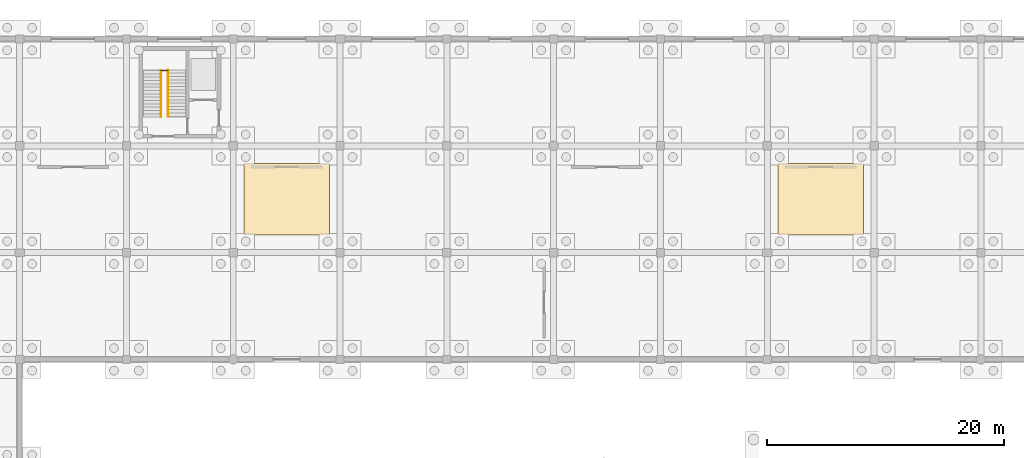
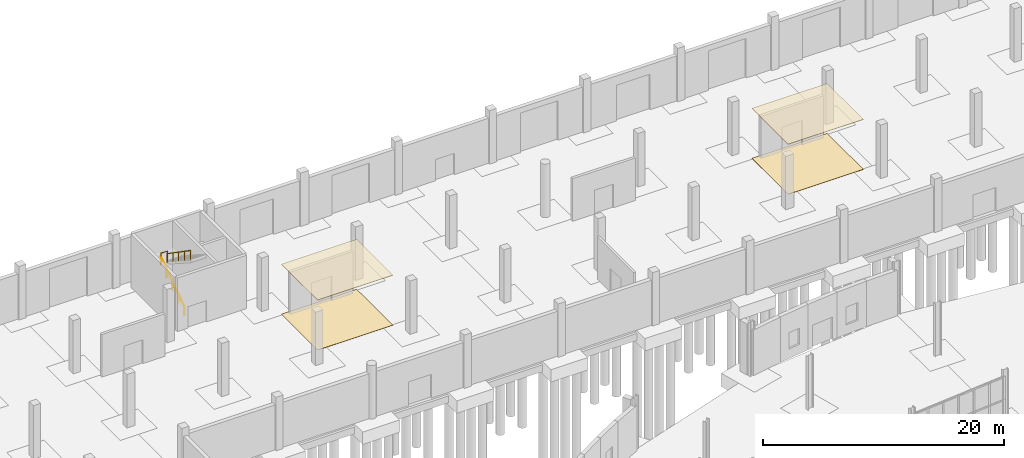
# One storey, part 116 of 118: 4 coverings, 3 railings.
"""IFC4 building model written with IfcOpenShell, lengths in metres."""

import ifcopenshell
import ifcopenshell.guid

model = None  # the IFC model being written
_history = None  # IfcOwnerHistory: only IFC2X3 demands one
_inside = {}  # id of a spatial element -> (the spatial element, [elements in it])
_under = {}  # id of a project, library or spatial element -> (it, [spatial elements below it])
_declared = {}  # id of a project -> (the project, [libraries it declares])
_typed = {}  # id of a type object -> (the type object, [elements of that type])
_made_of = {}  # id of a material, layer set ... -> (it, [elements and type objects made of it])


def new_model(schema):
    """Start an empty IFC model of exactly this schema.

    Asked for "IFC4X3", IfcOpenShell would pick the latest addendum, in which some entities
    have other attributes; the version numbers below select the first issue.
    IFC2X3 requires an IfcOwnerHistory on every rooted entity: one is made here for all.
    """
    global model, _history
    if schema == "IFC4X3":
        model = ifcopenshell.file(schema_version=(4, 3, 0, 0))
    else:
        model = ifcopenshell.file(schema=schema)
    _inside.clear()
    _under.clear()
    _declared.clear()
    _typed.clear()
    _made_of.clear()
    _history = None
    if model.schema == "IFC2X3":
        org = make("IfcOrganization", Name="unknown")
        user = make(
            "IfcPersonAndOrganization",
            ThePerson=make("IfcPerson", FamilyName="unknown"),
            TheOrganization=org,
        )
        app = make(
            "IfcApplication",
            ApplicationDeveloper=org,
            Version="unknown",
            ApplicationFullName="unknown",
            ApplicationIdentifier="unknown",
        )
        _history = make(
            "IfcOwnerHistory",
            OwningUser=user,
            OwningApplication=app,
            ChangeAction="ADDED",
            CreationDate=0,
        )
    return model


def make(cls, **values):
    """One entity of the class cls with the attributes given. An attribute that is None is left unset."""
    return model.create_entity(
        cls, **{name: value for name, value in values.items() if value is not None}
    )


def rooted(cls, **values):
    """An entity with a GlobalId (a new one), such as an element, a storey or a relation."""
    return make(cls, GlobalId=ifcopenshell.guid.new(), OwnerHistory=_history, **values)


def si_unit(unit_type, name, prefix=None):
    """IfcSIUnit, for example si_unit("LENGTHUNIT", "METRE", prefix="MILLI")."""
    return make("IfcSIUnit", UnitType=unit_type, Prefix=prefix, Name=name)


def assignment(units):
    """IfcUnitAssignment: the units of a project."""
    return None if units is None else make("IfcUnitAssignment", Units=units)


def point(xyz):
    """IfcCartesianPoint."""
    return None if xyz is None else make("IfcCartesianPoint", Coordinates=xyz)


def direction(xyz):
    """IfcDirection."""
    return None if xyz is None else make("IfcDirection", DirectionRatios=xyz)


def frame(location, z_axis=None, x_axis=None):
    """IfcAxis2Placement3D, a coordinate frame: its origin and axes. An axis left out is left unset."""
    return make(
        "IfcAxis2Placement3D",
        Location=point(location),
        Axis=direction(z_axis),
        RefDirection=direction(x_axis),
    )


def frame_2d(location, x_axis=None):
    """IfcAxis2Placement2D, a coordinate frame in the plane: its origin and x axis."""
    return make(
        "IfcAxis2Placement2D", Location=point(location), RefDirection=direction(x_axis)
    )


def origin():
    """The frame at (0, 0, 0) with its axes left unset."""
    return frame((0.0, 0.0, 0.0))


def origin_2d():
    """The frame at (0, 0) in the plane with its x axis left unset."""
    return frame_2d((0.0, 0.0))


def place(relative_to, where):
    """IfcLocalPlacement: puts the frame where relative to a parent placement (None: the world)."""
    return make(
        "IfcLocalPlacement", PlacementRelTo=relative_to, RelativePlacement=where
    )


def context(
    kind, dimensions, precision=None, world=None, true_north=None, identifier=None
):
    """IfcGeometricRepresentationContext, for example the 3D "Model" context."""
    return make(
        "IfcGeometricRepresentationContext",
        ContextIdentifier=identifier,
        ContextType=kind,
        CoordinateSpaceDimension=dimensions,
        Precision=precision,
        WorldCoordinateSystem=world,
        TrueNorth=true_north,
    )


def subcontext(parent, identifier, kind, view, scale=None):
    """IfcGeometricRepresentationSubContext, for example "Body" below "Model"."""
    return make(
        "IfcGeometricRepresentationSubContext",
        ContextIdentifier=identifier,
        ContextType=kind,
        ParentContext=parent,
        TargetScale=scale,
        TargetView=view,
    )


def project(units=None, contexts=None):
    """IfcProject with its units and contexts."""
    return rooted(
        "IfcProject",
        Name="project",
        RepresentationContexts=contexts,
        UnitsInContext=assignment(units),
    )


def spatial(cls, under=None, at=None, **own):
    """A site, building, storey or space (cls), placed at a placement, below another one or the project."""
    s = rooted(cls, ObjectPlacement=at, **own)
    if under is not None:
        _under.setdefault(under.id(), (under, []))[1].append(s)
    return s


def profile(cls, at=None, kind="AREA", **sizes):
    """A parametric profile (cls). Its sizes go by their IFC names, for example OverallWidth=200.0."""
    return make(cls, ProfileType=kind, Position=at, **sizes)


def rectangle(**sizes):
    """IfcRectangleProfileDef."""
    return profile("IfcRectangleProfileDef", **sizes)


def circle(**sizes):
    """IfcCircleProfileDef."""
    return profile("IfcCircleProfileDef", **sizes)


def extrude(swept, where, along, depth):
    """IfcExtrudedAreaSolid: the profile swept, set in the frame where, extruded along a direction by depth."""
    return make(
        "IfcExtrudedAreaSolid",
        SweptArea=swept,
        Position=where,
        ExtrudedDirection=direction(along),
        Depth=depth,
    )


def shape(context_of_items, identifier, shape_type, items):
    """IfcShapeRepresentation: the items that make up one representation, for example the "Body"."""
    return make(
        "IfcShapeRepresentation",
        ContextOfItems=context_of_items,
        RepresentationIdentifier=identifier,
        RepresentationType=shape_type,
        Items=items,
    )


def material(Name=None, Category=None):
    """IfcMaterial."""
    return make("IfcMaterial", Name=Name, Category=Category)


def layer(
    of_material, thickness, ventilated=None, Name=None, Category=None, Priority=None
):
    """IfcMaterialLayer: one layer of a wall or slab, of a material (None: an air gap)."""
    return make(
        "IfcMaterialLayer",
        Material=of_material,
        LayerThickness=thickness,
        IsVentilated=ventilated,
        Name=Name,
        Category=Category,
        Priority=Priority,
    )


def layer_set(layers, Name=None):
    """IfcMaterialLayerSet."""
    return make("IfcMaterialLayerSet", MaterialLayers=layers, LayerSetName=Name)


def made_of(thing, what):
    """Note that an element or type object is made of a material, layer set ...; save() writes the relation."""
    if what is not None:
        _made_of.setdefault(what.id(), (what, []))[1].append(thing)
    return thing


def type_object(cls, material=None, **own):
    """A type object (cls), such as IfcWallType, which elements share."""
    return made_of(rooted(cls, **own), material)


def element(
    cls,
    number,
    at=None,
    inside=None,
    cuts=None,
    type_object=None,
    material=None,
    context=None,
    identifier="Body",
    shape_type=None,
    held_by="IfcProductDefinitionShape",
    body=None,
    shapes=None,
    **own,
):
    """One element of the class cls, such as IfcWall. Its Tag is "e" and its number.

    at: its placement. inside: the storey or other place that contains it. cuts: it is an
    opening in that element (IfcRelVoidsElement). A single representation is given by context,
    identifier, shape_type and body (its items); several are given by shapes. held_by: the class
    of the entity that holds the representations. save() writes the other relations.
    """
    e = rooted(cls, Tag="e%d" % number, ObjectPlacement=at, **own)
    if body is not None:
        shapes = [shape(context, identifier, shape_type, body)]
    if shapes is not None:
        e.Representation = make(held_by, Representations=shapes)
    if inside is not None:
        _inside.setdefault(inside.id(), (inside, []))[1].append(e)
    if cuts is not None:
        rooted(
            "IfcRelVoidsElement", RelatingBuildingElement=cuts, RelatedOpeningElement=e
        )
    if type_object is not None:
        _typed.setdefault(type_object.id(), (type_object, []))[1].append(e)
    return made_of(e, material)


def aggregate(whole, parts):
    """IfcRelAggregates: a whole, such as a stair, and the parts it consists of."""
    return rooted("IfcRelAggregates", RelatingObject=whole, RelatedObjects=parts)


def save(model, path):
    """Write the relations noted so far, then the file.

    IfcRelAggregates (storeys below a building ...), IfcRelContainedInSpatialStructure (elements
    in a storey), IfcRelDefinesByType, IfcRelAssociatesMaterial and IfcRelDeclares: one each for
    every whole, place, type object, material and project.
    """
    for whole, parts in _under.values():
        aggregate(whole, parts)
    for where, things in _inside.values():
        rooted(
            "IfcRelContainedInSpatialStructure",
            RelatedElements=things,
            RelatingStructure=where,
        )
    for kind, things in _typed.values():
        rooted("IfcRelDefinesByType", RelatedObjects=things, RelatingType=kind)
    for what, things in _made_of.values():
        rooted("IfcRelAssociatesMaterial", RelatedObjects=things, RelatingMaterial=what)
    for by, libraries in _declared.values():
        rooted("IfcRelDeclares", RelatingContext=by, RelatedDefinitions=libraries)
    model.write(path)


model = new_model("IFC4")

# Units and contexts
model_context = context("Model", 3, precision=1e-05, world=origin(), true_north=direction((0.0, 1.0)))
body_context = subcontext(model_context, "Body", "Model", "MODEL_VIEW")
ifc_project = project(units=[si_unit("LENGTHUNIT", "METRE"), si_unit("AREAUNIT", "SQUARE_METRE"), si_unit("VOLUMEUNIT", "CUBIC_METRE"), si_unit("PLANEANGLEUNIT", "RADIAN"), si_unit("MASSUNIT", "GRAM", prefix="KILO")], contexts=[model_context])

# Site, building, storey
site_placement = place(None, origin())
site = spatial("IfcSite", under=ifc_project, at=site_placement, CompositionType="ELEMENT")
building_placement = place(site_placement, origin())
building = spatial("IfcBuilding", under=site, at=building_placement, Name="Kildeholm Park Wholesale Market", CompositionType="ELEMENT")
storey_placement = place(building_placement, origin())
storey = spatial("IfcBuildingStorey", under=building, at=storey_placement, Name="L00", CompositionType="ELEMENT", Elevation=0.0)

# Coverings
ifc_material_1 = material(Name="Washable acoustic mineral-fibre and aluminium ceiling", Category="aluminium")
ifc_layer_1 = layer(ifc_material_1, 0.044921875)
ifc_layer_set_1 = layer_set([ifc_layer_1], Name="Washable acoustic mineral-fibre and aluminium ceiling")
covering_type_1 = type_object("IfcCoveringType", Name="Hygienic acoustic suspended ceiling CV-CLG1 45 mm", PredefinedType="CEILING", material=ifc_layer_set_1)
for number, where, z_axis, x_axis, name in (
    (1, (58.5, 157.5, 5.03515625), (0.0, 0.0, 1.0), (1.0, 0.0, 0.0), "Acoustic ceiling 5 COV-0050"),
    (2, (103.5, 157.5, 5.03515625), (0.0, 0.0, 1.0), (1.0, 0.0, 0.0), "Acoustic ceiling 6 COV-0052"),
):
    element("IfcCovering", number, at=place(storey_placement, frame(where, z_axis=z_axis, x_axis=x_axis)), inside=storey, type_object=covering_type_1, Name=name, PredefinedType="CEILING", context=body_context, shape_type="SweptSolid", body=[
        extrude(rectangle(XDim=7.199951171875, YDim=6.0, at=origin_2d()), origin(), (0.0, 0.0, 1.0), 0.044921875),
    ])
ifc_material_2 = material(Name="Slip-resistant hygienic epoxy resin flooring")
ifc_layer_2 = layer(ifc_material_2, 0.02001953125)
ifc_layer_set_2 = layer_set([ifc_layer_2], Name="Slip-resistant hygienic epoxy resin flooring")
covering_type_2 = type_object("IfcCoveringType", Name="Hygienic cold-chain epoxy resin flooring CV-FLR2 20 mm", PredefinedType="FLOORING", material=ifc_layer_set_2)
for number, where, z_axis, x_axis, name in (
    (3, (58.5, 157.5, 0.0), (0.0, 0.0, 1.0), (1.0, 0.0, 0.0), "Market floor finish 5 COV-0049"),
    (4, (103.5, 157.5, 0.0), (0.0, 0.0, 1.0), (1.0, 0.0, 0.0), "Market floor finish 6 COV-0051"),
):
    element("IfcCovering", number, at=place(storey_placement, frame(where, z_axis=z_axis, x_axis=x_axis)), inside=storey, type_object=covering_type_2, Name=name, PredefinedType="FLOORING", context=body_context, shape_type="SweptSolid", body=[
        extrude(rectangle(XDim=7.199951171875, YDim=6.0, at=origin_2d()), origin(), (0.0, 0.0, 1.0), 0.02001953125),
    ])

# Railings
ifc_material_3 = material(Name="Painted steel and laminated glass balustrade", Category="steel")
railing_type_1 = type_object("IfcRailingType", Name="Interior gallery and stairwell guard GR-IN1 1200 mm", PredefinedType="GUARDRAIL", material=ifc_material_3)
railing_1_placement = place(storey_placement, frame((47.89990234375, 168.330078125, 2.699951171875)))
element("IfcRailing", 5, at=railing_1_placement, inside=storey, type_object=railing_type_1, Name="Stair C02 half-landing well guard L00 RLG-0030", PredefinedType="GUARDRAIL", context=body_context, shape_type="SweptSolid", body=[
    extrude(circle(Radius=0.02392578125, at=origin_2d()), frame((0.0, 0.0, 1.17578125), z_axis=(1.0, 0.0, 0.0), x_axis=(0.0, 1.0, 0.0)), (0.0, 0.0, 1.0), 0.610107421875),
    extrude(circle(Radius=0.02099609375, at=origin_2d()), origin(), (0.0, 0.0, 1.0), 1.15185546875),
    extrude(circle(Radius=0.02099609375, at=origin_2d()), frame((0.610107421875, 0.0, 0.0)), (0.0, 0.0, 1.0), 1.15185546875),
])
ifc_material_4 = material(Name="Stainless steel AISI 316 handrail", Category="steel")
railing_type_2 = type_object("IfcRailingType", Name="Stair flight handrail HR-IN1 900 mm", PredefinedType="HANDRAIL", material=ifc_material_4)
railing_2_placement = place(storey_placement, frame((47.89990234375, 164.419921875, 0.0)))
element("IfcRailing", 6, at=railing_2_placement, inside=storey, type_object=railing_type_2, Name="Stair C02 flight 1 handrail L00 RLG-0032", PredefinedType="HANDRAIL", context=body_context, shape_type="SweptSolid", body=[
    extrude(circle(Radius=0.02392578125, at=origin_2d()), frame((0.0, 0.0, 0.8759765625), z_axis=(0.0, 0.823567234665, 0.567218661528), x_axis=(-1.0, 0.0, 0.0)), (0.0, 0.0, 1.0), 4.760009765625),
    extrude(circle(Radius=0.02099609375, at=origin_2d()), origin(), (0.0, 0.0, 1.0), 0.851806640625),
    extrude(circle(Radius=0.02099609375, at=origin_2d()), frame((0.0, 0.97998046875, 0.675048828125)), (0.0, 0.0, 1.0), 0.851806640625),
    extrude(circle(Radius=0.02099609375, at=origin_2d()), frame((0.0, 1.9599609375, 1.35009765625)), (0.0, 0.0, 1.0), 0.851806640625),
    extrude(circle(Radius=0.02099609375, at=origin_2d()), frame((0.0, 2.940185546875, 2.02490234375)), (0.0, 0.0, 1.0), 0.851806640625),
    extrude(circle(Radius=0.02099609375, at=origin_2d()), frame((0.0, 3.920166015625, 2.699951171875)), (0.0, 0.0, 1.0), 0.851806640625),
])
railing_3_placement = place(storey_placement, frame((48.510009765625, 168.39990234375, 2.699951171875)))
element("IfcRailing", 7, at=railing_3_placement, inside=storey, type_object=railing_type_2, Name="Stair C02 flight 2 handrail L00 RLG-0033", PredefinedType="HANDRAIL", context=body_context, shape_type="SweptSolid", body=[
    extrude(circle(Radius=0.02392578125, at=origin_2d()), frame((0.0, 0.0, 0.8759765625), z_axis=(0.0, -0.823550731654, 0.567242622158), x_axis=(1.0, 0.0, 0.0)), (0.0, 0.0, 1.0), 4.759765625),
    extrude(circle(Radius=0.02099609375, at=origin_2d()), origin(), (0.0, 0.0, 1.0), 0.851806640625),
    extrude(circle(Radius=0.02099609375, at=origin_2d()), frame((0.0, -0.97998046875, 0.675048828125)), (0.0, 0.0, 1.0), 0.851806640625),
    extrude(circle(Radius=0.02099609375, at=origin_2d()), frame((0.0, -1.9599609375, 1.35009765625)), (0.0, 0.0, 1.0), 0.851806640625),
    extrude(circle(Radius=0.02099609375, at=origin_2d()), frame((0.0, -2.93994140625, 2.02490234375)), (0.0, 0.0, 1.0), 0.851806640625),
    extrude(circle(Radius=0.02099609375, at=origin_2d()), frame((0.0, -3.919921875, 2.699951171875)), (0.0, 0.0, 1.0), 0.851806640625),
])

save(model, "model.ifc")
